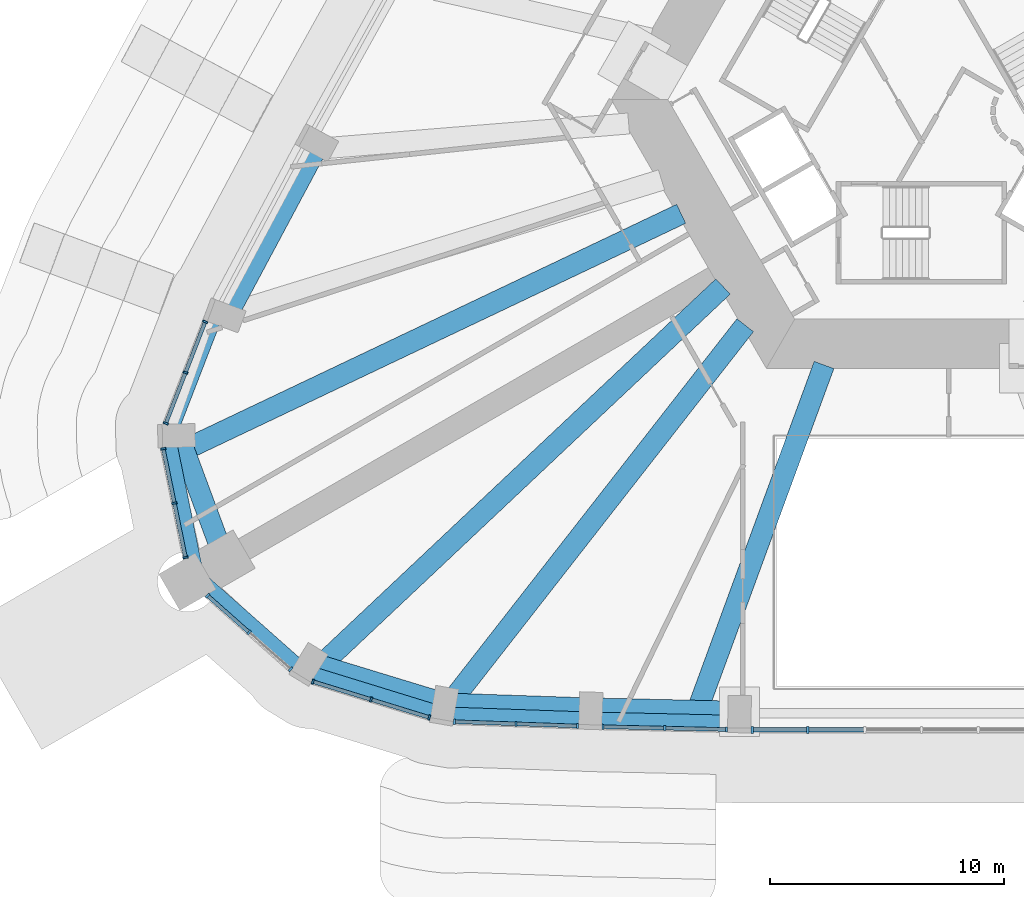
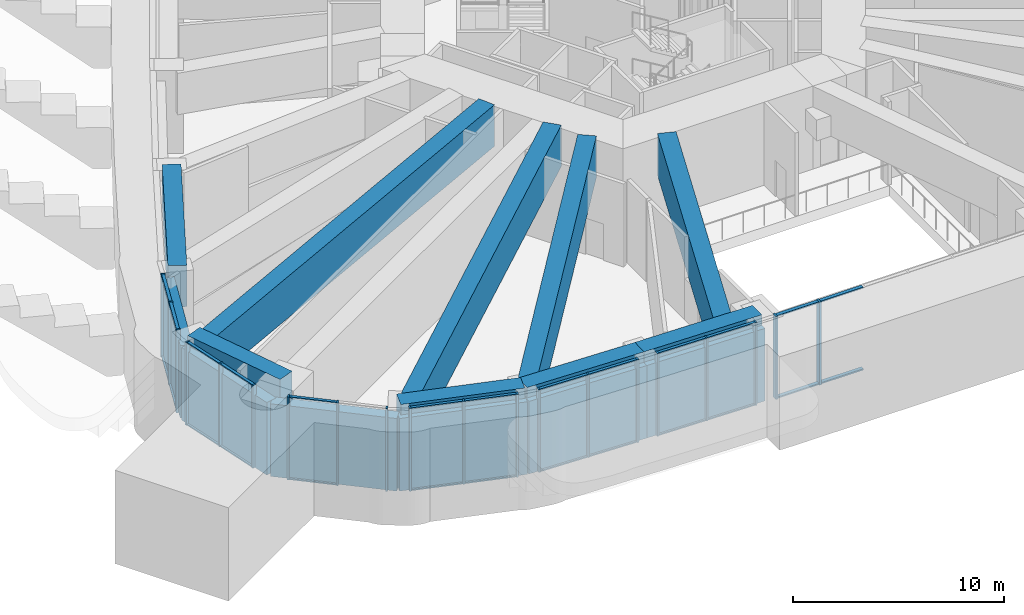
# One storey, part 2 of 21: 52 members, 9 beams, 7 elements without a shape of their own.
"""IFC4 building model written with IfcOpenShell, lengths in metres."""

from ifc_helpers import new_model, si_unit, direction, frame, origin, origin_2d, place, context, subcontext, project, spatial, rectangle, extrude, material, material_profile, profile_set, type_object, element, aggregate, save


model = new_model("IFC4")

# Units and contexts
model_context = context("Model", 3, precision=1e-05, world=origin(), true_north=direction((0.0, 1.0)))
body_context = subcontext(model_context, "Body", "Model", "MODEL_VIEW")
ifc_project = project(units=[si_unit("LENGTHUNIT", "METRE"), si_unit("AREAUNIT", "SQUARE_METRE"), si_unit("VOLUMEUNIT", "CUBIC_METRE"), si_unit("PLANEANGLEUNIT", "RADIAN"), si_unit("MASSUNIT", "GRAM", prefix="KILO")], contexts=[model_context])

# Site, building, storey
site_placement = place(None, origin())
site = spatial("IfcSite", under=ifc_project, at=site_placement, CompositionType="ELEMENT")
building_placement = place(site_placement, origin())
building = spatial("IfcBuilding", under=site, at=building_placement, Name="Entoto Arch Interchange Tower", CompositionType="ELEMENT")
storey_placement = place(building_placement, frame((0.0, 0.0, 236.0)))
storey = spatial("IfcBuildingStorey", under=building, at=storey_placement, Name="L53", CompositionType="ELEMENT", Elevation=236.0)

# Members
ifc_material_1 = material(Name="Concrete C50/60", Category="concrete")
ifc_material_profile_1 = material_profile(ifc_material_1, rectangle(XDim=0.60009765625, YDim=4.199951171875, at=origin_2d()))
ifc_profile_set_1 = profile_set([ifc_material_profile_1], Name="Concrete C50/60")
member_type_1 = type_object("IfcMemberType", Name="Belt member RC 600x4200 C50/60", PredefinedType="USERDEFINED", material=ifc_profile_set_1)
member_1_placement = place(storey_placement, frame((-20.493896484375, -23.7958984375, 2.10009765625), z_axis=(0.999377615864, -0.035275783614, 0.0), x_axis=(0.035275783614, 0.999377615864, 0.0)))
element("IfcMember", 1, at=member_1_placement, inside=storey, type_object=member_type_1, Name="Belt beam 01 L53", ObjectType="BELT BEAM", PredefinedType="USERDEFINED", context=body_context, shape_type="SweptSolid", body=[
    extrude(rectangle(XDim=0.60009765625, YDim=4.199951171875, at=origin_2d()), origin(), (0.0, 0.0, 1.0), 6.32568359375),
])
member_2_placement = place(storey_placement, frame((-14.172119140625, -24.01904296875, 2.10009765625), z_axis=(0.999752724231, -0.022237139956, 0.0), x_axis=(0.022237139956, 0.999752724231, 0.0)))
element("IfcMember", 2, at=member_2_placement, inside=storey, type_object=member_type_1, Name="Belt beam 02 L53", ObjectType="BELT BEAM", PredefinedType="USERDEFINED", context=body_context, shape_type="SweptSolid", body=[
    extrude(rectangle(XDim=0.60009765625, YDim=4.199951171875, at=origin_2d()), origin(), (0.0, 0.0, 1.0), 6.378662109375),
])
member_3_placement = place(storey_placement, frame((-30.180908203125, -6.64599609375, 2.10009765625), z_axis=(-0.361050742486, -0.932546171163, 0.0), x_axis=(0.932546171163, -0.361050742486, 0.0)))
element("IfcMember", 3, at=member_3_placement, inside=storey, type_object=member_type_1, Name="Belt beam 24 L53", ObjectType="BELT BEAM", PredefinedType="USERDEFINED", context=body_context, shape_type="SweptSolid", body=[
    extrude(rectangle(XDim=0.60009765625, YDim=4.199951171875, at=origin_2d()), origin(), (0.0, 0.0, 1.0), 5.683349609375),
])
member_4_placement = place(storey_placement, frame((-32.23291015625, -11.946044921875, 2.10009765625), z_axis=(0.200035500227, -0.97978864999, 0.0), x_axis=(0.97978864999, 0.200035500227, 0.0)))
element("IfcMember", 4, at=member_4_placement, inside=storey, type_object=member_type_1, Name="Belt beam 25 L53", ObjectType="BELT BEAM", PredefinedType="USERDEFINED", context=body_context, shape_type="SweptSolid", body=[
    extrude(rectangle(XDim=0.60009765625, YDim=4.199951171875, at=origin_2d()), origin(), (0.0, 0.0, 1.0), 6.0830078125),
])
member_5_placement = place(storey_placement, frame((-31.01611328125, -17.906005859375, 2.10009765625), z_axis=(0.748469352949, -0.663169380849, 0.0), x_axis=(0.663169380849, 0.748469352949, 0.0)))
element("IfcMember", 5, at=member_5_placement, inside=storey, type_object=member_type_1, Name="Belt beam 26 L53", ObjectType="BELT BEAM", PredefinedType="USERDEFINED", context=body_context, shape_type="SweptSolid", body=[
    extrude(rectangle(XDim=0.60009765625, YDim=4.199951171875, at=origin_2d()), origin(), (0.0, 0.0, 1.0), 6.119140625),
])
member_6_placement = place(storey_placement, frame((-26.43603515625, -21.964111328125, 2.10009765625), z_axis=(0.955623520999, -0.294590709481, 0.0), x_axis=(0.294590709481, 0.955623520999, 0.0)))
element("IfcMember", 6, at=member_6_placement, inside=storey, type_object=member_type_1, Name="Belt beam 27 L53", ObjectType="BELT BEAM", PredefinedType="USERDEFINED", context=body_context, shape_type="SweptSolid", body=[
    extrude(rectangle(XDim=0.60009765625, YDim=4.199951171875, at=origin_2d()), origin(), (0.0, 0.0, 1.0), 6.218017578125),
])

# Curtain wall, members
ifc_material_2 = material(Name="Aluminium, anodised", Category="aluminium")
curtain_wall_type_1 = type_object("IfcCurtainWallType", Name="CURTAIN WALL ATRIUM", PredefinedType="NOTDEFINED", material=ifc_material_2)
curtain_wall_1_placement = place(storey_placement, origin())
curtain_wall_1 = element("IfcCurtainWall", 7, at=curtain_wall_1_placement, inside=storey, type_object=curtain_wall_type_1, Name="Atrium glazing S-03 L53", PredefinedType="NOTDEFINED")
ifc_material_profile_2 = material_profile(ifc_material_2, rectangle(XDim=0.300048828125, YDim=0.10009765625, at=origin_2d()))
ifc_profile_set_2 = profile_set([ifc_material_profile_2], Name="Aluminium, anodised")
member_type_2 = type_object("IfcMemberType", Name="MULLION ATRIUM 100x300", PredefinedType="MULLION", material=ifc_profile_set_2)
member_7_placement = place(storey_placement, frame((-7.2490234375, -24.48095703125, 0.0), z_axis=(0.0, 0.0, 1.0), x_axis=(0.0, 1.0, 0.0)))
member_7 = element("IfcMember", 8, at=member_7_placement, type_object=member_type_2, Name="CWA mullion 1", PredefinedType="MULLION", context=body_context, shape_type="SweptSolid", body=[
    extrude(rectangle(XDim=0.300048828125, YDim=0.10009765625, at=origin_2d()), origin(), (0.0, 0.0, 1.0), 4.800048828125),
])
member_8_placement = place(storey_placement, frame((-4.865966796875, -24.48095703125, 0.0), z_axis=(0.0, 0.0, 1.0), x_axis=(0.0, 1.0, 0.0)))
member_8 = element("IfcMember", 9, at=member_8_placement, type_object=member_type_2, Name="CWA mullion 2", PredefinedType="MULLION", context=body_context, shape_type="SweptSolid", body=[
    extrude(rectangle(XDim=0.300048828125, YDim=0.10009765625, at=origin_2d()), origin(), (0.0, 0.0, 1.0), 4.800048828125),
])

curtain_wall_type_2 = type_object("IfcCurtainWallType", Name="CURTAIN WALL SKY LOBBY", PredefinedType="NOTDEFINED", material=ifc_material_2)
curtain_wall_2_placement = place(storey_placement, origin())
curtain_wall_2 = element("IfcCurtainWall", 10, at=curtain_wall_2_placement, inside=storey, type_object=curtain_wall_type_2, Name="Sky Lobby glazing S-01 L53", PredefinedType="NOTDEFINED")
ifc_material_profile_3 = material_profile(ifc_material_2, rectangle(XDim=0.219970703125, YDim=0.090087890625, at=origin_2d()))
ifc_profile_set_3 = profile_set([ifc_material_profile_3], Name="Aluminium, anodised")
member_type_3 = type_object("IfcMemberType", Name="MULLION SKY LOBBY 90x220", PredefinedType="MULLION", material=ifc_profile_set_3)
member_9_placement = place(storey_placement, frame((-19.9990234375, -24.133544921875, 0.0), z_axis=(0.0, 0.0, 1.0), x_axis=(0.035206492311, 0.999380059286, 0.0)))
member_9 = element("IfcMember", 11, at=member_9_placement, type_object=member_type_3, Name="CWS mullion 1", PredefinedType="MULLION", context=body_context, shape_type="SweptSolid", body=[
    extrude(rectangle(XDim=0.219970703125, YDim=0.090087890625, at=origin_2d()), origin(), (0.0, 0.0, 1.0), 4.800048828125),
])
member_10_placement = place(storey_placement, frame((-17.361572265625, -24.2265625, 0.0), z_axis=(0.0, 0.0, 1.0), x_axis=(0.035206492311, 0.999380059286, 0.0)))
member_10 = element("IfcMember", 12, at=member_10_placement, type_object=member_type_3, Name="CWS mullion 2", PredefinedType="MULLION", context=body_context, shape_type="SweptSolid", body=[
    extrude(rectangle(XDim=0.219970703125, YDim=0.090087890625, at=origin_2d()), origin(), (0.0, 0.0, 1.0), 4.800048828125),
])
member_11_placement = place(storey_placement, frame((-14.723876953125, -24.3193359375, 0.0), z_axis=(0.0, 0.0, 1.0), x_axis=(0.035206492311, 0.999380059286, 0.0)))
member_11 = element("IfcMember", 13, at=member_11_placement, type_object=member_type_3, Name="CWS mullion 3", PredefinedType="MULLION", context=body_context, shape_type="SweptSolid", body=[
    extrude(rectangle(XDim=0.219970703125, YDim=0.090087890625, at=origin_2d()), origin(), (0.0, 0.0, 1.0), 4.800048828125),
])

curtain_wall_3_placement = place(storey_placement, origin())
curtain_wall_3 = element("IfcCurtainWall", 14, at=curtain_wall_3_placement, inside=storey, type_object=curtain_wall_type_2, Name="Sky Lobby glazing S-02 L53", PredefinedType="NOTDEFINED")
member_12_placement = place(storey_placement, frame((-13.636962890625, -24.35107421875, 0.0), z_axis=(0.0, 0.0, 1.0), x_axis=(0.022278591676, 0.999751801375, 0.0)))
member_12 = element("IfcMember", 15, at=member_12_placement, type_object=member_type_3, Name="CWS mullion 1", PredefinedType="MULLION", context=body_context, shape_type="SweptSolid", body=[
    extrude(rectangle(XDim=0.219970703125, YDim=0.090087890625, at=origin_2d()), origin(), (0.0, 0.0, 1.0), 4.800048828125),
])
member_13_placement = place(storey_placement, frame((-10.989501953125, -24.409912109375, 0.0), z_axis=(0.0, 0.0, 1.0), x_axis=(0.022278591676, 0.999751801375, 0.0)))
member_13 = element("IfcMember", 16, at=member_13_placement, type_object=member_type_3, Name="CWS mullion 2", PredefinedType="MULLION", context=body_context, shape_type="SweptSolid", body=[
    extrude(rectangle(XDim=0.219970703125, YDim=0.090087890625, at=origin_2d()), origin(), (0.0, 0.0, 1.0), 4.800048828125),
])
member_14_placement = place(storey_placement, frame((-8.342041015625, -24.468994140625, 0.0), z_axis=(0.0, 0.0, 1.0), x_axis=(0.022278591676, 0.999751801375, 0.0)))
member_14 = element("IfcMember", 17, at=member_14_placement, type_object=member_type_3, Name="CWS mullion 3", PredefinedType="MULLION", context=body_context, shape_type="SweptSolid", body=[
    extrude(rectangle(XDim=0.219970703125, YDim=0.090087890625, at=origin_2d()), origin(), (0.0, 0.0, 1.0), 4.800048828125),
])

curtain_wall_4_placement = place(storey_placement, origin())
curtain_wall_4 = element("IfcCurtainWall", 18, at=curtain_wall_4_placement, inside=storey, type_object=curtain_wall_type_2, Name="Sky Lobby glazing SW-01 L53", PredefinedType="NOTDEFINED")
member_15_placement = place(storey_placement, frame((-30.665283203125, -7.010986328125, 0.0), z_axis=(0.0, 0.0, 1.0), x_axis=(0.932529221964, -0.361094516966, 0.0)))
member_15 = element("IfcMember", 19, at=member_15_placement, type_object=member_type_3, Name="CWS mullion 1", PredefinedType="MULLION", context=body_context, shape_type="SweptSolid", body=[
    extrude(rectangle(XDim=0.219970703125, YDim=0.090087890625, at=origin_2d()), origin(), (0.0, 0.0, 1.0), 4.800048828125),
])
member_16_placement = place(storey_placement, frame((-31.506591796875, -9.18359375, 0.0), z_axis=(0.0, 0.0, 1.0), x_axis=(0.932529221964, -0.361094516966, 0.0)))
member_16 = element("IfcMember", 20, at=member_16_placement, type_object=member_type_3, Name="CWS mullion 2", PredefinedType="MULLION", context=body_context, shape_type="SweptSolid", body=[
    extrude(rectangle(XDim=0.219970703125, YDim=0.090087890625, at=origin_2d()), origin(), (0.0, 0.0, 1.0), 4.800048828125),
])
member_17_placement = place(storey_placement, frame((-32.34765625, -11.35595703125, 0.0), z_axis=(0.0, 0.0, 1.0), x_axis=(0.932529221964, -0.361094516966, 0.0)))
member_17 = element("IfcMember", 21, at=member_17_placement, type_object=member_type_3, Name="CWS mullion 3", PredefinedType="MULLION", context=body_context, shape_type="SweptSolid", body=[
    extrude(rectangle(XDim=0.219970703125, YDim=0.090087890625, at=origin_2d()), origin(), (0.0, 0.0, 1.0), 4.800048828125),
])

curtain_wall_5_placement = place(storey_placement, origin())
curtain_wall_5 = element("IfcCurtainWall", 22, at=curtain_wall_5_placement, inside=storey, type_object=curtain_wall_type_2, Name="Sky Lobby glazing SW-02 L53", PredefinedType="NOTDEFINED")
member_18_placement = place(storey_placement, frame((-32.4580078125, -12.447021484375, 0.0), z_axis=(0.0, 0.0, 1.0), x_axis=(0.979761913592, 0.200166412455, 0.0)))
member_18 = element("IfcMember", 23, at=member_18_placement, type_object=member_type_3, Name="CWS mullion 1", PredefinedType="MULLION", context=body_context, shape_type="SweptSolid", body=[
    extrude(rectangle(XDim=0.219970703125, YDim=0.090087890625, at=origin_2d()), origin(), (0.0, 0.0, 1.0), 4.800048828125),
])
member_19_placement = place(storey_placement, frame((-31.982421875, -14.7744140625, 0.0), z_axis=(0.0, 0.0, 1.0), x_axis=(0.979761913592, 0.200166412455, 0.0)))
member_19 = element("IfcMember", 24, at=member_19_placement, type_object=member_type_3, Name="CWS mullion 2", PredefinedType="MULLION", context=body_context, shape_type="SweptSolid", body=[
    extrude(rectangle(XDim=0.219970703125, YDim=0.090087890625, at=origin_2d()), origin(), (0.0, 0.0, 1.0), 4.800048828125),
])
member_20_placement = place(storey_placement, frame((-31.507080078125, -17.101806640625, 0.0), z_axis=(0.0, 0.0, 1.0), x_axis=(0.979761913592, 0.200166412455, 0.0)))
member_20 = element("IfcMember", 25, at=member_20_placement, type_object=member_type_3, Name="CWS mullion 3", PredefinedType="MULLION", context=body_context, shape_type="SweptSolid", body=[
    extrude(rectangle(XDim=0.219970703125, YDim=0.090087890625, at=origin_2d()), origin(), (0.0, 0.0, 1.0), 4.800048828125),
])

curtain_wall_6_placement = place(storey_placement, origin())
curtain_wall_6 = element("IfcCurtainWall", 26, at=curtain_wall_6_placement, inside=storey, type_object=curtain_wall_type_2, Name="Sky Lobby glazing SW-03 L53", PredefinedType="NOTDEFINED")
member_21_placement = place(storey_placement, frame((-30.564208984375, -18.73388671875, 0.0), z_axis=(0.0, 0.0, 1.0), x_axis=(0.663170811675, 0.748468085187, 0.0)))
member_21 = element("IfcMember", 27, at=member_21_placement, type_object=member_type_3, Name="CWS mullion 1", PredefinedType="MULLION", context=body_context, shape_type="SweptSolid", body=[
    extrude(rectangle(XDim=0.219970703125, YDim=0.090087890625, at=origin_2d()), origin(), (0.0, 0.0, 1.0), 4.800048828125),
])
member_22_placement = place(storey_placement, frame((-28.785888671875, -20.3095703125, 0.0), z_axis=(0.0, 0.0, 1.0), x_axis=(0.663170811675, 0.748468085187, 0.0)))
member_22 = element("IfcMember", 28, at=member_22_placement, type_object=member_type_3, Name="CWS mullion 2", PredefinedType="MULLION", context=body_context, shape_type="SweptSolid", body=[
    extrude(rectangle(XDim=0.219970703125, YDim=0.090087890625, at=origin_2d()), origin(), (0.0, 0.0, 1.0), 4.800048828125),
])
member_23_placement = place(storey_placement, frame((-27.007568359375, -21.88525390625, 0.0), z_axis=(0.0, 0.0, 1.0), x_axis=(0.663170811675, 0.748468085187, 0.0)))
member_23 = element("IfcMember", 29, at=member_23_placement, type_object=member_type_3, Name="CWS mullion 3", PredefinedType="MULLION", context=body_context, shape_type="SweptSolid", body=[
    extrude(rectangle(XDim=0.219970703125, YDim=0.090087890625, at=origin_2d()), origin(), (0.0, 0.0, 1.0), 4.800048828125),
])

curtain_wall_7_placement = place(storey_placement, origin())
curtain_wall_7 = element("IfcCurtainWall", 30, at=curtain_wall_7_placement, inside=storey, type_object=curtain_wall_type_2, Name="Sky Lobby glazing SW-04 L53", PredefinedType="NOTDEFINED")
member_24_placement = place(storey_placement, frame((-26.054931640625, -22.417236328125, 0.0), z_axis=(0.0, 0.0, 1.0), x_axis=(0.29443021641, 0.95567298155, 0.0)))
member_24 = element("IfcMember", 31, at=member_24_placement, type_object=member_type_3, Name="CWS mullion 1", PredefinedType="MULLION", context=body_context, shape_type="SweptSolid", body=[
    extrude(rectangle(XDim=0.219970703125, YDim=0.090087890625, at=origin_2d()), origin(), (0.0, 0.0, 1.0), 4.800048828125),
])
member_25_placement = place(storey_placement, frame((-23.56298828125, -23.18505859375, 0.0), z_axis=(0.0, 0.0, 1.0), x_axis=(0.29443021641, 0.95567298155, 0.0)))
member_25 = element("IfcMember", 32, at=member_25_placement, type_object=member_type_3, Name="CWS mullion 2", PredefinedType="MULLION", context=body_context, shape_type="SweptSolid", body=[
    extrude(rectangle(XDim=0.219970703125, YDim=0.090087890625, at=origin_2d()), origin(), (0.0, 0.0, 1.0), 4.800048828125),
])
member_26_placement = place(storey_placement, frame((-21.071044921875, -23.95263671875, 0.0), z_axis=(0.0, 0.0, 1.0), x_axis=(0.29443021641, 0.95567298155, 0.0)))
member_26 = element("IfcMember", 33, at=member_26_placement, type_object=member_type_3, Name="CWS mullion 3", PredefinedType="MULLION", context=body_context, shape_type="SweptSolid", body=[
    extrude(rectangle(XDim=0.219970703125, YDim=0.090087890625, at=origin_2d()), origin(), (0.0, 0.0, 1.0), 4.800048828125),
])

# Member
ifc_material_profile_4 = material_profile(ifc_material_2, rectangle(XDim=0.199951171875, YDim=0.080078125, at=origin_2d()))
ifc_profile_set_4 = profile_set([ifc_material_profile_4], Name="Aluminium, anodised")
member_type_4 = type_object("IfcMemberType", Name="TRANSOM ATRIUM 80x200", PredefinedType="USERDEFINED", material=ifc_profile_set_4)
member_27_placement = place(storey_placement, frame((-7.198974609375, -24.48095703125, 0.0400390625), z_axis=(1.0, 0.0, 0.0), x_axis=(0.0, 1.0, 0.0)))
member_27 = element("IfcMember", 34, at=member_27_placement, type_object=member_type_4, Name="CWA transom 1.1", ObjectType="TRANSOM", PredefinedType="USERDEFINED", context=body_context, shape_type="SweptSolid", body=[
    extrude(rectangle(XDim=0.199951171875, YDim=0.080078125, at=origin_2d()), origin(), (0.0, 0.0, 1.0), 2.282958984375),
])

member_28_placement = place(storey_placement, frame((-7.198974609375, -24.48095703125, 4.760009765625), z_axis=(1.0, 0.0, 0.0), x_axis=(0.0, 1.0, 0.0)))
member_28 = element("IfcMember", 35, at=member_28_placement, type_object=member_type_4, Name="CWA transom 1.2", ObjectType="TRANSOM", PredefinedType="USERDEFINED", context=body_context, shape_type="SweptSolid", body=[
    extrude(rectangle(XDim=0.199951171875, YDim=0.080078125, at=origin_2d()), origin(), (0.0, 0.0, 1.0), 2.282958984375),
])

member_29_placement = place(storey_placement, frame((-4.81591796875, -24.48095703125, 0.0400390625), z_axis=(1.0, 0.0, 0.0), x_axis=(0.0, 1.0, 0.0)))
member_29 = element("IfcMember", 36, at=member_29_placement, type_object=member_type_4, Name="CWA transom 2.1", ObjectType="TRANSOM", PredefinedType="USERDEFINED", context=body_context, shape_type="SweptSolid", body=[
    extrude(rectangle(XDim=0.199951171875, YDim=0.080078125, at=origin_2d()), origin(), (0.0, 0.0, 1.0), 2.3330078125),
])

member_30_placement = place(storey_placement, frame((-4.81591796875, -24.48095703125, 4.760009765625), z_axis=(1.0, 0.0, 0.0), x_axis=(0.0, 1.0, 0.0)))
member_30 = element("IfcMember", 37, at=member_30_placement, type_object=member_type_4, Name="CWA transom 2.2", ObjectType="TRANSOM", PredefinedType="USERDEFINED", context=body_context, shape_type="SweptSolid", body=[
    extrude(rectangle(XDim=0.199951171875, YDim=0.080078125, at=origin_2d()), origin(), (0.0, 0.0, 1.0), 2.3330078125),
])

aggregate(curtain_wall_1, [member_7, member_8, member_27, member_28, member_29, member_30])

ifc_material_profile_5 = material_profile(ifc_material_2, rectangle(XDim=0.159912109375, YDim=0.070068359375, at=origin_2d()))
ifc_profile_set_5 = profile_set([ifc_material_profile_5], Name="Aluminium, anodised")
member_type_5 = type_object("IfcMemberType", Name="TRANSOM SKY LOBBY 70x160", PredefinedType="USERDEFINED", material=ifc_profile_set_5)
member_31_placement = place(storey_placement, frame((-19.9541015625, -24.13525390625, 0.034912109375), z_axis=(0.999382105174, -0.0351483692, 0.0), x_axis=(0.0351483692, 0.999382105174, 0.0)))
member_31 = element("IfcMember", 38, at=member_31_placement, type_object=member_type_5, Name="CWS transom 1.1", ObjectType="TRANSOM", PredefinedType="USERDEFINED", context=body_context, shape_type="SweptSolid", body=[
    extrude(rectangle(XDim=0.159912109375, YDim=0.070068359375, at=origin_2d()), origin(), (0.0, 0.0, 1.0), 2.549072265625),
])

member_32_placement = place(storey_placement, frame((-19.9541015625, -24.13525390625, 4.764892578125), z_axis=(0.999382105174, -0.0351483692, 0.0), x_axis=(0.0351483692, 0.999382105174, 0.0)))
member_32 = element("IfcMember", 39, at=member_32_placement, type_object=member_type_5, Name="CWS transom 1.2", ObjectType="TRANSOM", PredefinedType="USERDEFINED", context=body_context, shape_type="SweptSolid", body=[
    extrude(rectangle(XDim=0.159912109375, YDim=0.070068359375, at=origin_2d()), origin(), (0.0, 0.0, 1.0), 2.549072265625),
])

member_33_placement = place(storey_placement, frame((-17.31640625, -24.22802734375, 0.034912109375), z_axis=(0.999378617475, -0.035247396131, 0.0), x_axis=(0.035247396131, 0.999378617475, 0.0)))
member_33 = element("IfcMember", 40, at=member_33_placement, type_object=member_type_5, Name="CWS transom 2.1", ObjectType="TRANSOM", PredefinedType="USERDEFINED", context=body_context, shape_type="SweptSolid", body=[
    extrude(rectangle(XDim=0.159912109375, YDim=0.070068359375, at=origin_2d()), origin(), (0.0, 0.0, 1.0), 2.548828125),
])

member_34_placement = place(storey_placement, frame((-17.31640625, -24.22802734375, 4.764892578125), z_axis=(0.999378617475, -0.035247396131, 0.0), x_axis=(0.035247396131, 0.999378617475, 0.0)))
member_34 = element("IfcMember", 41, at=member_34_placement, type_object=member_type_5, Name="CWS transom 2.2", ObjectType="TRANSOM", PredefinedType="USERDEFINED", context=body_context, shape_type="SweptSolid", body=[
    extrude(rectangle(XDim=0.159912109375, YDim=0.070068359375, at=origin_2d()), origin(), (0.0, 0.0, 1.0), 2.548828125),
])

aggregate(curtain_wall_2, [member_9, member_10, member_11, member_31, member_32, member_33, member_34])

member_35_placement = place(storey_placement, frame((-13.592041015625, -24.35205078125, 0.034912109375), z_axis=(0.999752753714, -0.022235814396, 0.0), x_axis=(0.022235814396, 0.999752753714, 0.0)))
member_35 = element("IfcMember", 42, at=member_35_placement, type_object=member_type_5, Name="CWS transom 1.1", ObjectType="TRANSOM", PredefinedType="USERDEFINED", context=body_context, shape_type="SweptSolid", body=[
    extrude(rectangle(XDim=0.159912109375, YDim=0.070068359375, at=origin_2d()), origin(), (0.0, 0.0, 1.0), 2.558349609375),
])

member_36_placement = place(storey_placement, frame((-13.592041015625, -24.35205078125, 4.764892578125), z_axis=(0.999752753714, -0.022235814396, 0.0), x_axis=(0.022235814396, 0.999752753714, 0.0)))
member_36 = element("IfcMember", 43, at=member_36_placement, type_object=member_type_5, Name="CWS transom 1.2", ObjectType="TRANSOM", PredefinedType="USERDEFINED", context=body_context, shape_type="SweptSolid", body=[
    extrude(rectangle(XDim=0.159912109375, YDim=0.070068359375, at=origin_2d()), origin(), (0.0, 0.0, 1.0), 2.558349609375),
])

member_37_placement = place(storey_placement, frame((-10.944580078125, -24.410888671875, 0.034912109375), z_axis=(0.999750627669, -0.022331199587, 0.0), x_axis=(0.022331199587, 0.999750627669, 0.0)))
member_37 = element("IfcMember", 44, at=member_37_placement, type_object=member_type_5, Name="CWS transom 2.1", ObjectType="TRANSOM", PredefinedType="USERDEFINED", context=body_context, shape_type="SweptSolid", body=[
    extrude(rectangle(XDim=0.159912109375, YDim=0.070068359375, at=origin_2d()), origin(), (0.0, 0.0, 1.0), 2.558349609375),
])

member_38_placement = place(storey_placement, frame((-10.944580078125, -24.410888671875, 4.764892578125), z_axis=(0.999750627669, -0.022331199587, 0.0), x_axis=(0.022331199587, 0.999750627669, 0.0)))
member_38 = element("IfcMember", 45, at=member_38_placement, type_object=member_type_5, Name="CWS transom 2.2", ObjectType="TRANSOM", PredefinedType="USERDEFINED", context=body_context, shape_type="SweptSolid", body=[
    extrude(rectangle(XDim=0.159912109375, YDim=0.070068359375, at=origin_2d()), origin(), (0.0, 0.0, 1.0), 2.558349609375),
])

aggregate(curtain_wall_3, [member_12, member_13, member_14, member_35, member_36, member_37, member_38])

member_39_placement = place(storey_placement, frame((-30.681396484375, -7.052978515625, 0.034912109375), z_axis=(-0.361125592596, -0.932517188245, 0.0), x_axis=(0.932517188245, -0.361125592596, 0.0)))
member_39 = element("IfcMember", 46, at=member_39_placement, type_object=member_type_5, Name="CWS transom 1.1", ObjectType="TRANSOM", PredefinedType="USERDEFINED", context=body_context, shape_type="SweptSolid", body=[
    extrude(rectangle(XDim=0.159912109375, YDim=0.070068359375, at=origin_2d()), origin(), (0.0, 0.0, 1.0), 2.23974609375),
])

member_40_placement = place(storey_placement, frame((-30.681396484375, -7.052978515625, 4.764892578125), z_axis=(-0.361125592596, -0.932517188245, 0.0), x_axis=(0.932517188245, -0.361125592596, 0.0)))
member_40 = element("IfcMember", 47, at=member_40_placement, type_object=member_type_5, Name="CWS transom 1.2", ObjectType="TRANSOM", PredefinedType="USERDEFINED", context=body_context, shape_type="SweptSolid", body=[
    extrude(rectangle(XDim=0.159912109375, YDim=0.070068359375, at=origin_2d()), origin(), (0.0, 0.0, 1.0), 2.23974609375),
])

member_41_placement = place(storey_placement, frame((-31.522705078125, -9.225341796875, 0.034912109375), z_axis=(-0.361125592596, -0.932517188245, 0.0), x_axis=(0.932517188245, -0.361125592596, 0.0)))
member_41 = element("IfcMember", 48, at=member_41_placement, type_object=member_type_5, Name="CWS transom 2.1", ObjectType="TRANSOM", PredefinedType="USERDEFINED", context=body_context, shape_type="SweptSolid", body=[
    extrude(rectangle(XDim=0.159912109375, YDim=0.070068359375, at=origin_2d()), origin(), (0.0, 0.0, 1.0), 2.23974609375),
])

member_42_placement = place(storey_placement, frame((-31.522705078125, -9.225341796875, 4.764892578125), z_axis=(-0.361125592596, -0.932517188245, 0.0), x_axis=(0.932517188245, -0.361125592596, 0.0)))
member_42 = element("IfcMember", 49, at=member_42_placement, type_object=member_type_5, Name="CWS transom 2.2", ObjectType="TRANSOM", PredefinedType="USERDEFINED", context=body_context, shape_type="SweptSolid", body=[
    extrude(rectangle(XDim=0.159912109375, YDim=0.070068359375, at=origin_2d()), origin(), (0.0, 0.0, 1.0), 2.23974609375),
])

aggregate(curtain_wall_4, [member_15, member_16, member_17, member_39, member_40, member_41, member_42])

member_43_placement = place(storey_placement, frame((-32.448974609375, -12.4912109375, 0.034912109375), z_axis=(0.200181848662, -0.979758759831, 0.0), x_axis=(0.979758759831, 0.200181848662, 0.0)))
member_43 = element("IfcMember", 50, at=member_43_placement, type_object=member_type_5, Name="CWS transom 1.1", ObjectType="TRANSOM", PredefinedType="USERDEFINED", context=body_context, shape_type="SweptSolid", body=[
    extrude(rectangle(XDim=0.159912109375, YDim=0.070068359375, at=origin_2d()), origin(), (0.0, 0.0, 1.0), 2.285400390625),
])

member_44_placement = place(storey_placement, frame((-32.448974609375, -12.4912109375, 4.764892578125), z_axis=(0.200181848662, -0.979758759831, 0.0), x_axis=(0.979758759831, 0.200181848662, 0.0)))
member_44 = element("IfcMember", 51, at=member_44_placement, type_object=member_type_5, Name="CWS transom 1.2", ObjectType="TRANSOM", PredefinedType="USERDEFINED", context=body_context, shape_type="SweptSolid", body=[
    extrude(rectangle(XDim=0.159912109375, YDim=0.070068359375, at=origin_2d()), origin(), (0.0, 0.0, 1.0), 2.285400390625),
])

member_45_placement = place(storey_placement, frame((-31.973388671875, -14.818603515625, 0.034912109375), z_axis=(0.200079305348, -0.979779705634, 0.0), x_axis=(0.979779705634, 0.200079305348, 0.0)))
member_45 = element("IfcMember", 52, at=member_45_placement, type_object=member_type_5, Name="CWS transom 2.1", ObjectType="TRANSOM", PredefinedType="USERDEFINED", context=body_context, shape_type="SweptSolid", body=[
    extrude(rectangle(XDim=0.159912109375, YDim=0.070068359375, at=origin_2d()), origin(), (0.0, 0.0, 1.0), 2.285400390625),
])

member_46_placement = place(storey_placement, frame((-31.973388671875, -14.818603515625, 4.764892578125), z_axis=(0.200079305348, -0.979779705634, 0.0), x_axis=(0.979779705634, 0.200079305348, 0.0)))
member_46 = element("IfcMember", 53, at=member_46_placement, type_object=member_type_5, Name="CWS transom 2.2", ObjectType="TRANSOM", PredefinedType="USERDEFINED", context=body_context, shape_type="SweptSolid", body=[
    extrude(rectangle(XDim=0.159912109375, YDim=0.070068359375, at=origin_2d()), origin(), (0.0, 0.0, 1.0), 2.285400390625),
])

aggregate(curtain_wall_5, [member_18, member_19, member_20, member_43, member_44, member_45, member_46])

member_47_placement = place(storey_placement, frame((-30.530517578125, -18.763671875, 0.034912109375), z_axis=(0.74848669237, -0.663149810635, 0.0), x_axis=(0.663149810635, 0.74848669237, 0.0)))
member_47 = element("IfcMember", 54, at=member_47_placement, type_object=member_type_5, Name="CWS transom 1.1", ObjectType="TRANSOM", PredefinedType="USERDEFINED", context=body_context, shape_type="SweptSolid", body=[
    extrude(rectangle(XDim=0.159912109375, YDim=0.070068359375, at=origin_2d()), origin(), (0.0, 0.0, 1.0), 2.285888671875),
])

member_48_placement = place(storey_placement, frame((-30.530517578125, -18.763671875, 4.764892578125), z_axis=(0.74848669237, -0.663149810635, 0.0), x_axis=(0.663149810635, 0.74848669237, 0.0)))
member_48 = element("IfcMember", 55, at=member_48_placement, type_object=member_type_5, Name="CWS transom 1.2", ObjectType="TRANSOM", PredefinedType="USERDEFINED", context=body_context, shape_type="SweptSolid", body=[
    extrude(rectangle(XDim=0.159912109375, YDim=0.070068359375, at=origin_2d()), origin(), (0.0, 0.0, 1.0), 2.285888671875),
])

aggregate(curtain_wall_6, [member_21, member_22, member_23, member_47, member_48])

member_49_placement = place(storey_placement, frame((-26.011962890625, -22.430419921875, 0.034912109375), z_axis=(0.955678309515, -0.29441292214, 0.0), x_axis=(0.29441292214, 0.955678309515, 0.0)))
member_49 = element("IfcMember", 56, at=member_49_placement, type_object=member_type_5, Name="CWS transom 1.1", ObjectType="TRANSOM", PredefinedType="USERDEFINED", context=body_context, shape_type="SweptSolid", body=[
    extrude(rectangle(XDim=0.159912109375, YDim=0.070068359375, at=origin_2d()), origin(), (0.0, 0.0, 1.0), 2.517578125),
])

member_50_placement = place(storey_placement, frame((-26.011962890625, -22.430419921875, 4.764892578125), z_axis=(0.955678309515, -0.29441292214, 0.0), x_axis=(0.29441292214, 0.955678309515, 0.0)))
member_50 = element("IfcMember", 57, at=member_50_placement, type_object=member_type_5, Name="CWS transom 1.2", ObjectType="TRANSOM", PredefinedType="USERDEFINED", context=body_context, shape_type="SweptSolid", body=[
    extrude(rectangle(XDim=0.159912109375, YDim=0.070068359375, at=origin_2d()), origin(), (0.0, 0.0, 1.0), 2.517578125),
])

member_51_placement = place(storey_placement, frame((-23.52001953125, -23.1982421875, 0.034912109375), z_axis=(0.955678309515, -0.29441292214, 0.0), x_axis=(0.29441292214, 0.955678309515, 0.0)))
member_51 = element("IfcMember", 58, at=member_51_placement, type_object=member_type_5, Name="CWS transom 2.1", ObjectType="TRANSOM", PredefinedType="USERDEFINED", context=body_context, shape_type="SweptSolid", body=[
    extrude(rectangle(XDim=0.159912109375, YDim=0.070068359375, at=origin_2d()), origin(), (0.0, 0.0, 1.0), 2.517578125),
])

member_52_placement = place(storey_placement, frame((-23.52001953125, -23.1982421875, 4.764892578125), z_axis=(0.955678309515, -0.29441292214, 0.0), x_axis=(0.29441292214, 0.955678309515, 0.0)))
member_52 = element("IfcMember", 59, at=member_52_placement, type_object=member_type_5, Name="CWS transom 2.2", ObjectType="TRANSOM", PredefinedType="USERDEFINED", context=body_context, shape_type="SweptSolid", body=[
    extrude(rectangle(XDim=0.159912109375, YDim=0.070068359375, at=origin_2d()), origin(), (0.0, 0.0, 1.0), 2.517578125),
])

aggregate(curtain_wall_7, [member_24, member_25, member_26, member_49, member_50, member_51, member_52])

# Beams
ifc_material_profile_6 = material_profile(ifc_material_1, rectangle(XDim=0.89990234375, YDim=2.39990234375, at=origin_2d()))
ifc_profile_set_6 = profile_set([ifc_material_profile_6], Name="Concrete C50/60")
beam_type = type_object("IfcBeamType", Name="Transfer beam RC 900x2400 C50/60", PredefinedType="BEAM", material=ifc_profile_set_6)
beam_1_placement = place(storey_placement, frame((-7.5439453125, -7.156982421875, 3.60009765625), z_axis=(-0.615603585932, -0.788055978334, 0.0), x_axis=(0.788055978334, -0.615603585932, 0.0)))
element("IfcBeam", 60, at=beam_1_placement, inside=storey, type_object=beam_type, Name="Transfer beam S01 L53", PredefinedType="BEAM", context=body_context, shape_type="SweptSolid", body=[
    extrude(rectangle(XDim=0.89990234375, YDim=2.39990234375, at=origin_2d()), origin(), (0.0, 0.0, 1.0), 20.260009765625),
])
beam_2_placement = place(storey_placement, frame((-20.4169921875, -23.35205078125, 3.60009765625), z_axis=(0.999422767876, -0.03397250433, 0.0), x_axis=(0.03397250433, 0.999422767876, 0.0)))
element("IfcBeam", 61, at=beam_2_placement, inside=storey, type_object=beam_type, Name="Transfer girder S01 L53", PredefinedType="BEAM", context=body_context, shape_type="SweptSolid", body=[
    extrude(rectangle(XDim=0.89990234375, YDim=2.39990234375, at=origin_2d()), origin(), (0.0, 0.0, 1.0), 6.2666015625),
])
beam_3_placement = place(storey_placement, frame((-4.1689453125, -8.85888671875, 3.60009765625), z_axis=(-0.344549038598, -0.938768320727, 0.0), x_axis=(0.938768320727, -0.344549038598, 0.0)))
element("IfcBeam", 62, at=beam_3_placement, inside=storey, type_object=beam_type, Name="Transfer beam S02 L53", PredefinedType="BEAM", context=body_context, shape_type="SweptSolid", body=[
    extrude(rectangle(XDim=0.89990234375, YDim=2.39990234375, at=origin_2d()), origin(), (0.0, 0.0, 1.0), 15.47265625),
])
beam_4_placement = place(storey_placement, frame((-14.154052734375, -23.56494140625, 3.60009765625), z_axis=(0.999754406406, -0.022161382432, 0.0), x_axis=(0.022161382432, 0.999754406406, 0.0)))
element("IfcBeam", 63, at=beam_4_placement, inside=storey, type_object=beam_type, Name="Transfer girder S02 L53", PredefinedType="BEAM", context=body_context, shape_type="SweptSolid", body=[
    extrude(rectangle(XDim=0.89990234375, YDim=2.39990234375, at=origin_2d()), origin(), (0.0, 0.0, 1.0), 6.367431640625),
])
beam_5_placement = place(storey_placement, frame((-25.797119140625, 0.60791015625, 3.60009765625), z_axis=(-0.471414831034, -0.881911592554, 0.0), x_axis=(0.881911592554, -0.471414831034, 0.0)))
element("IfcBeam", 64, at=beam_5_placement, inside=storey, type_object=beam_type, Name="Transfer girder NW05 L53", PredefinedType="BEAM", context=body_context, shape_type="SweptSolid", body=[
    extrude(rectangle(XDim=0.89990234375, YDim=2.39990234375, at=origin_2d()), origin(), (0.0, 0.0, 1.0), 8.3681640625),
])
beam_6_placement = place(storey_placement, frame((-10.284912109375, -2.387939453125, 3.60009765625), z_axis=(-0.903196039378, -0.429228277786, 0.0), x_axis=(0.429228277786, -0.903196039378, 0.0)))
element("IfcBeam", 65, at=beam_6_placement, inside=storey, type_object=beam_type, Name="Transfer beam SW1 L53", PredefinedType="BEAM", context=body_context, shape_type="SweptSolid", body=[
    extrude(rectangle(XDim=0.89990234375, YDim=2.39990234375, at=origin_2d()), origin(), (0.0, 0.0, 1.0), 23.262939453125),
])
beam_7_placement = place(storey_placement, frame((-31.794921875, -11.885009765625, 3.60009765625), z_axis=(0.347374497514, -0.937726483831, 0.0), x_axis=(0.937726483831, 0.347374497514, 0.0)))
element("IfcBeam", 66, at=beam_7_placement, inside=storey, type_object=beam_type, Name="Transfer girder SW1 L53", PredefinedType="BEAM", context=body_context, shape_type="SweptSolid", body=[
    extrude(rectangle(XDim=0.89990234375, YDim=2.39990234375, at=origin_2d()), origin(), (0.0, 0.0, 1.0), 5.68505859375),
])
beam_8_placement = place(storey_placement, frame((-8.492919921875, -5.4990234375, 3.60009765625), z_axis=(-0.727983201252, -0.685594966941, 0.0), x_axis=(0.685594966941, -0.727983201252, 0.0)))
element("IfcBeam", 67, at=beam_8_placement, inside=storey, type_object=beam_type, Name="Transfer beam SW3 L53", PredefinedType="BEAM", context=body_context, shape_type="SweptSolid", body=[
    extrude(rectangle(XDim=0.89990234375, YDim=2.39990234375, at=origin_2d()), origin(), (0.0, 0.0, 1.0), 23.37841796875),
])
beam_9_placement = place(storey_placement, frame((-26.18994140625, -21.593017578125, 3.60009765625), z_axis=(0.95657927361, -0.291472285645, 0.0), x_axis=(0.291472285645, 0.95657927361, 0.0)))
element("IfcBeam", 68, at=beam_9_placement, inside=storey, type_object=beam_type, Name="Transfer girder SW3 L53", PredefinedType="BEAM", context=body_context, shape_type="SweptSolid", body=[
    extrude(rectangle(XDim=0.89990234375, YDim=2.39990234375, at=origin_2d()), origin(), (0.0, 0.0, 1.0), 6.034912109375),
])

save(model, "model.ifc")
